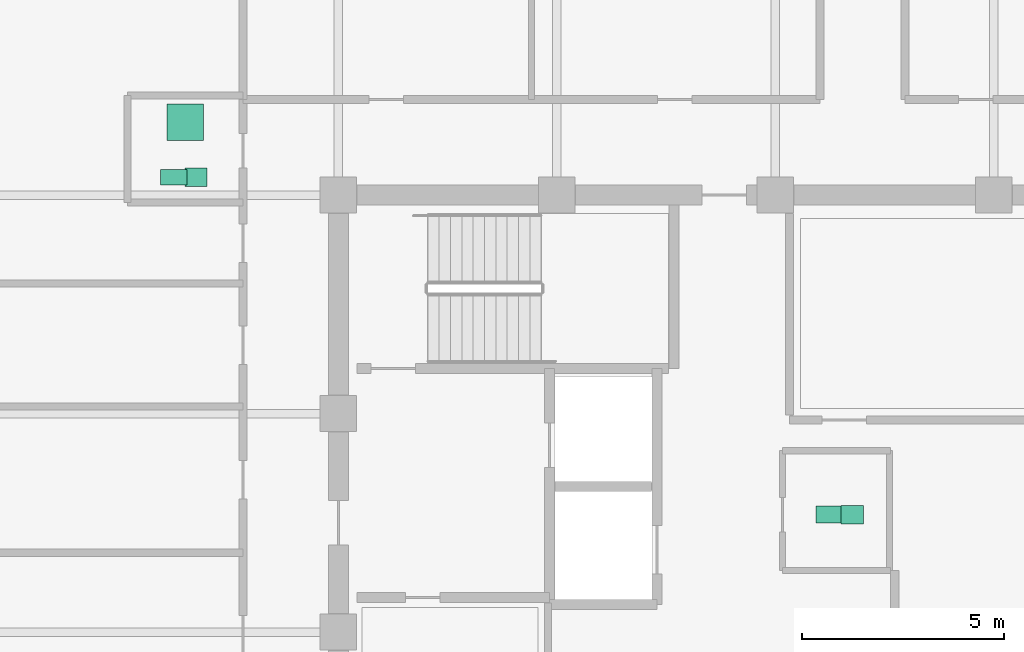
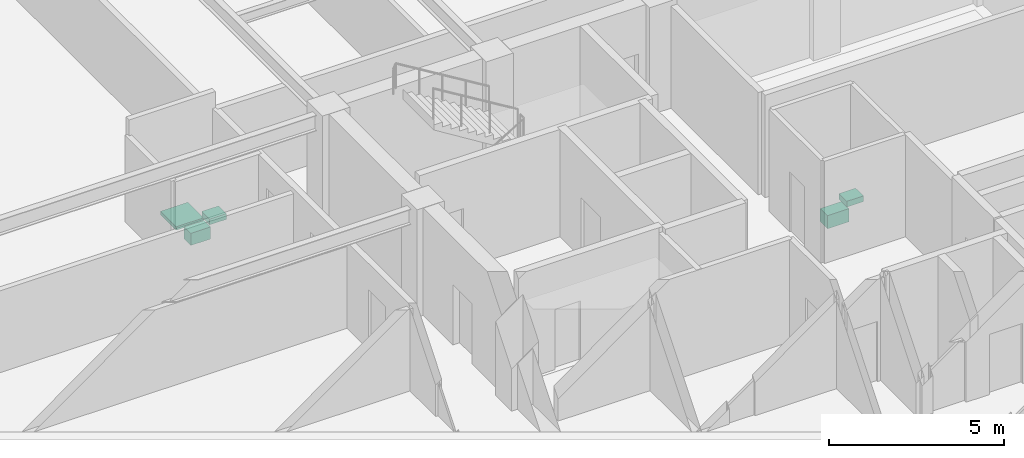
# One storey, part 30 of 30: 5 sanitary terminals.
"""IFC4 building model written with IfcOpenShell, lengths in metres."""

from ifc_helpers import new_model, si_unit, direction, frame, origin, origin_2d, place, context, subcontext, project, spatial, rectangle, extrude, material, type_object, element, save


model = new_model("IFC4")

# Units and contexts
model_context = context("Model", 3, precision=1e-05, world=origin(), true_north=direction((0.0, 1.0)))
body_context = subcontext(model_context, "Body", "Model", "MODEL_VIEW")
ifc_project = project(units=[si_unit("LENGTHUNIT", "METRE"), si_unit("AREAUNIT", "SQUARE_METRE"), si_unit("VOLUMEUNIT", "CUBIC_METRE"), si_unit("PLANEANGLEUNIT", "RADIAN"), si_unit("MASSUNIT", "GRAM", prefix="KILO")], contexts=[model_context])

# Site, building, storey
site_placement = place(None, origin())
site = spatial("IfcSite", under=ifc_project, at=site_placement, CompositionType="ELEMENT")
building_placement = place(site_placement, origin())
building = spatial("IfcBuilding", under=site, at=building_placement, Name="Surkhivell Harbour Commons", CompositionType="ELEMENT")
storey_placement = place(building_placement, frame((0.0, 0.0, 296.25)))
storey = spatial("IfcBuildingStorey", under=building, at=storey_placement, Name="L77", CompositionType="ELEMENT", Elevation=296.25)

# Sanitary terminals
ifc_material_1 = material(Name="Vitreous china washbasin", Category="other")
sanitary_terminal_type_1 = type_object("IfcSanitaryTerminalType", Name="SAN-BSN", PredefinedType="WASHHANDBASIN", material=ifc_material_1)
for number, where, z_axis, x_axis, name in (
    (1, (1.89990234375, 2.89990234375, 0.72021484375), (0.0, 0.0, 1.0), (1.0, 0.0, 0.0), "L77 Core Accessible WC Washbasin"),
    (2, (-14.320068359375, 11.239990234375, 0.72021484375), (0.0, 0.0, 1.0), (1.0, 0.0, 0.0), "L77 West Communal Bathroom WC Washbasin"),
):
    element("IfcSanitaryTerminal", number, at=place(storey_placement, frame(where, z_axis=z_axis, x_axis=x_axis)), inside=storey, type_object=sanitary_terminal_type_1, Name=name, PredefinedType="WASHHANDBASIN", context=body_context, shape_type="SweptSolid", body=[
        extrude(rectangle(XDim=0.550048828125, YDim=0.449951171875, at=origin_2d()), origin(), (0.0, 0.0, 1.0), 0.199951171875),
    ])
ifc_material_2 = material(Name="Glazed porcelain shower tray", Category="other")
sanitary_terminal_type_2 = type_object("IfcSanitaryTerminalType", Name="SAN-SHW", PredefinedType="SHOWER", material=ifc_material_2)
sanitary_terminal_1_placement = place(storey_placement, frame((-14.590087890625, 12.60009765625, 0.0), z_axis=(0.0, 0.0, 1.0), x_axis=(1.0, 0.0, 0.0)))
element("IfcSanitaryTerminal", 3, at=sanitary_terminal_1_placement, inside=storey, type_object=sanitary_terminal_type_2, Name="L77 West Communal Shower Tray", PredefinedType="SHOWER", context=body_context, shape_type="SweptSolid", body=[
    extrude(rectangle(XDim=0.89990234375, YDim=0.89990234375, at=origin_2d()), origin(), (0.0, 0.0, 1.0), 0.1201171875),
])
ifc_material_3 = material(Name="Vitreous china sanitaryware", Category="other")
sanitary_terminal_type_3 = type_object("IfcSanitaryTerminalType", Name="SAN-WC-ACC", PredefinedType="TOILETPAN", material=ifc_material_3)
sanitary_terminal_2_placement = place(storey_placement, frame((1.35009765625, 2.89990234375, 0.169921875), z_axis=(0.0, 0.0, 1.0), x_axis=(1.0, 0.0, 0.0)))
element("IfcSanitaryTerminal", 4, at=sanitary_terminal_2_placement, inside=storey, type_object=sanitary_terminal_type_3, Name="L77 Core Accessible WC", PredefinedType="TOILETPAN", context=body_context, shape_type="SweptSolid", body=[
    extrude(rectangle(XDim=0.699951171875, YDim=0.419921875, at=origin_2d()), origin(), (0.0, 0.0, 1.0), 0.4599609375),
])
sanitary_terminal_type_4 = type_object("IfcSanitaryTerminalType", Name="SAN-WC-STD", PredefinedType="TOILETPAN", material=ifc_material_3)
sanitary_terminal_3_placement = place(storey_placement, frame((-14.8701171875, 11.239990234375, 0.18994140625), z_axis=(0.0, 0.0, 1.0), x_axis=(1.0, 0.0, 0.0)))
element("IfcSanitaryTerminal", 5, at=sanitary_terminal_3_placement, inside=storey, type_object=sanitary_terminal_type_4, Name="L77 West Communal Bathroom WC", PredefinedType="TOILETPAN", context=body_context, shape_type="SweptSolid", body=[
    extrude(rectangle(XDim=0.64990234375, YDim=0.3798828125, at=origin_2d()), origin(), (0.0, 0.0, 1.0), 0.419921875),
])

save(model, "model.ifc")
